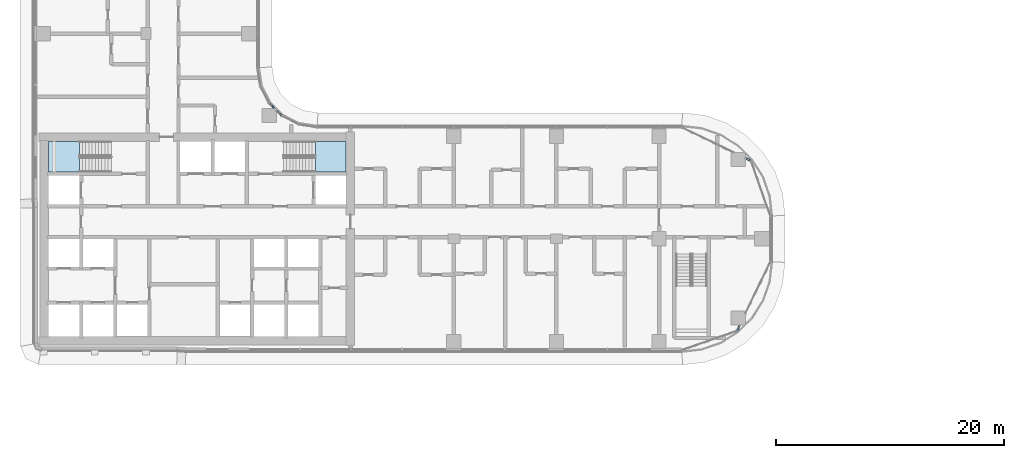
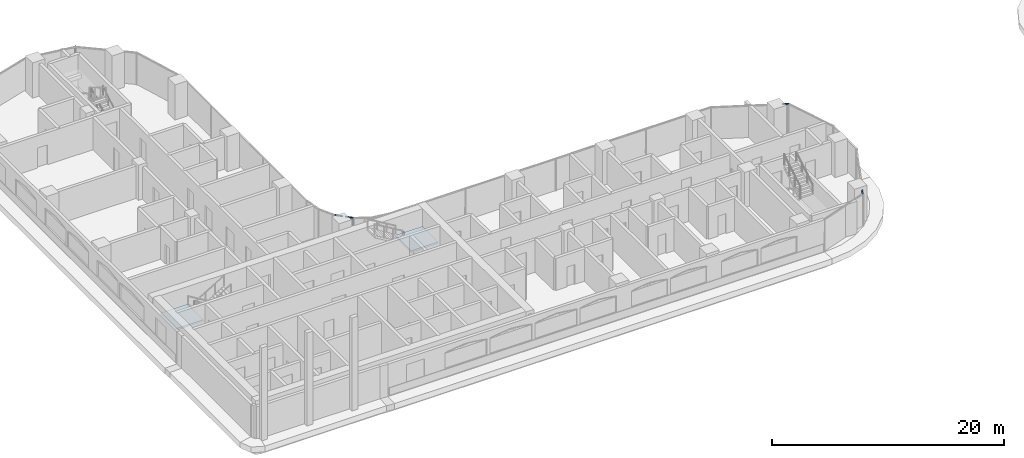
# One storey, part 14 of 40: 4 members, 2 slabs, 6 elements without a shape of their own.
"""IFC4 building model written with IfcOpenShell, lengths in metres."""

from ifc_helpers import new_model, si_unit, direction, frame, origin, origin_2d, place, context, subcontext, project, spatial, polyline, rectangle, outline, extrude, material, layer, layer_set, material_profile, profile_set, type_object, element, aggregate, save


model = new_model("IFC4")

# Units and contexts
model_context = context("Model", 3, precision=1e-05, world=origin(), true_north=direction((0.0, 1.0)))
body_context = subcontext(model_context, "Body", "Model", "MODEL_VIEW")
ifc_project = project(units=[si_unit("LENGTHUNIT", "METRE"), si_unit("AREAUNIT", "SQUARE_METRE"), si_unit("VOLUMEUNIT", "CUBIC_METRE"), si_unit("PLANEANGLEUNIT", "RADIAN"), si_unit("MASSUNIT", "GRAM", prefix="KILO")], contexts=[model_context])

# Site, building, storey
site_placement = place(None, origin())
site = spatial("IfcSite", under=ifc_project, at=site_placement, CompositionType="ELEMENT")
building_placement = place(site_placement, origin())
building = spatial("IfcBuilding", under=site, at=building_placement, Name="Ogive Portal Towers", CompositionType="ELEMENT")
storey_placement = place(building_placement, frame((0.0, 0.0, 87.10009765625)))
storey = spatial("IfcBuildingStorey", under=building, at=storey_placement, Name="L20", CompositionType="ELEMENT", Elevation=87.10009765625)

# Curtain wall, member
ifc_material_1 = material(Name="Glass, clear low-iron insulated glazing", Category="glass")
curtain_wall_type = type_object("IfcCurtainWallType", Name="CW FRONT RIBBON 4500", PredefinedType="NOTDEFINED", material=ifc_material_1)
curtain_wall_1_placement = place(storey_placement, origin())
curtain_wall_1 = element("IfcCurtainWall", 1, at=curtain_wall_1_placement, inside=storey, type_object=curtain_wall_type, Name="A:L20:f06:cwa~0", PredefinedType="NOTDEFINED")
ifc_material_2 = material(Name="Aluminium 6063 anodised", Category="aluminium")
ifc_material_profile = material_profile(ifc_material_2, rectangle(XDim=0.1201171875, YDim=0.06005859375, at=origin_2d()), Name="AL 120x60")
ifc_profile_set = profile_set([ifc_material_profile], Name="Aluminium 6063 anodised")
member_type = type_object("IfcMemberType", Name="CW TRANSOM 60x120", PredefinedType="USERDEFINED", material=ifc_profile_set)
member_1_placement = place(storey_placement, frame((92.33984375, 22.42333984375, 3.369873046875), z_axis=(0.434013326486, 0.900906450433, 0.0), x_axis=(-0.900906450433, 0.434013326486, 0.0)))
member_1 = element("IfcMember", 2, at=member_1_placement, type_object=member_type, Name="transom", ObjectType="TRANSOM", PredefinedType="USERDEFINED", context=body_context, shape_type="SweptSolid", body=[
    extrude(rectangle(XDim=0.1201171875, YDim=0.06005859375, at=origin_2d()), origin(), (0.0, 0.0, 1.0), 0.556884765625),
])
aggregate(curtain_wall_1, [member_1])

curtain_wall_2_placement = place(storey_placement, origin())
curtain_wall_2 = element("IfcCurtainWall", 3, at=curtain_wall_2_placement, inside=storey, type_object=curtain_wall_type, Name="A:L20:f09:cwa~0", PredefinedType="NOTDEFINED")
member_2_placement = place(storey_placement, frame((93.57666015625, 37.33984375, 3.369873046875), z_axis=(-0.900906450433, 0.434013326486, 0.0), x_axis=(-0.434013326486, -0.900906450433, 0.0)))
member_2 = element("IfcMember", 4, at=member_2_placement, type_object=member_type, Name="transom", ObjectType="TRANSOM", PredefinedType="USERDEFINED", context=body_context, shape_type="SweptSolid", body=[
    extrude(rectangle(XDim=0.1201171875, YDim=0.06005859375, at=origin_2d()), origin(), (0.0, 0.0, 1.0), 0.556884765625),
])
aggregate(curtain_wall_2, [member_2])

curtain_wall_3_placement = place(storey_placement, origin())
curtain_wall_3 = element("IfcCurtainWall", 5, at=curtain_wall_3_placement, inside=storey, type_object=curtain_wall_type, Name="A:L20:f12:cwa~0", PredefinedType="NOTDEFINED")
member_3_placement = place(storey_placement, frame((52.42822265625, 41.27197265625, 3.369873046875), z_axis=(-0.706931776423, 0.707281742649, 0.0), x_axis=(-0.707281742649, -0.706931776423, 0.0)))
member_3 = element("IfcMember", 6, at=member_3_placement, type_object=member_type, Name="transom", ObjectType="TRANSOM", PredefinedType="USERDEFINED", context=body_context, shape_type="SweptSolid", body=[
    extrude(rectangle(XDim=0.1201171875, YDim=0.06005859375, at=origin_2d()), origin(), (0.0, 0.0, 1.0), 0.697509765625),
])
aggregate(curtain_wall_3, [member_3])

curtain_wall_4_placement = place(storey_placement, origin())
curtain_wall_4 = element("IfcCurtainWall", 7, at=curtain_wall_4_placement, inside=storey, type_object=curtain_wall_type, Name="A:L20:f12:cwa~1", PredefinedType="NOTDEFINED")
member_4_placement = place(storey_placement, frame((51.765380859375, 41.93505859375, 3.369873046875), z_axis=(-0.707281742649, 0.706931776423, 0.0), x_axis=(-0.706931776423, -0.707281742649, 0.0)))
member_4 = element("IfcMember", 8, at=member_4_placement, type_object=member_type, Name="transom", ObjectType="TRANSOM", PredefinedType="USERDEFINED", context=body_context, shape_type="SweptSolid", body=[
    extrude(rectangle(XDim=0.1201171875, YDim=0.06005859375, at=origin_2d()), origin(), (0.0, 0.0, 1.0), 0.697509765625),
])
aggregate(curtain_wall_4, [member_4])

# Stair, slab
ifc_material_3 = material(Name="Concrete C40/50", Category="concrete")
stair_type = type_object("IfcStairType", Name="INT-STAIR", PredefinedType="HALF_TURN_STAIR", material=ifc_material_3)
stair_1_placement = place(storey_placement, origin())
stair_1 = element("IfcStair", 9, at=stair_1_placement, inside=storey, type_object=stair_type, Name="L20 Exit Stair ST-A1", PredefinedType="HALF_TURN_STAIR")
ifc_layer = layer(ifc_material_3, 0.199951171875)
ifc_layer_set = layer_set([ifc_layer], Name="INT-LANDING")
slab_type = type_object("IfcSlabType", Name="INT-LANDING", PredefinedType="LANDING", material=ifc_layer_set)
slab_1_placement = place(storey_placement, frame((0.0, 0.0, 1.64990234375)))
slab_1 = element("IfcSlab", 10, at=slab_1_placement, type_object=slab_type, Name="ST-A1 landing 1", PredefinedType="LANDING", context=body_context, shape_type="SweptSolid", body=[
    extrude(outline(polyline([(34.64990234375, 39.050048828125), (31.949951171875, 39.050048828125), (31.949951171875, 36.35009765625), (34.64990234375, 36.35009765625), (34.64990234375, 39.050048828125)])), origin(), (0.0, 0.0, 1.0), 0.199951171875),
])
aggregate(stair_1, [slab_1])

stair_2_placement = place(storey_placement, origin())
stair_2 = element("IfcStair", 11, at=stair_2_placement, inside=storey, type_object=stair_type, Name="L20 Exit Stair ST-A2", PredefinedType="HALF_TURN_STAIR")
slab_2_placement = place(storey_placement, frame((0.0, 0.0, 1.64990234375)))
slab_2 = element("IfcSlab", 12, at=slab_2_placement, type_object=slab_type, Name="ST-A2 landing 1", PredefinedType="LANDING", context=body_context, shape_type="SweptSolid", body=[
    extrude(outline(polyline([(55.35009765625, 36.35009765625), (58.050048828125, 36.35009765625), (58.050048828125, 39.050048828125), (55.35009765625, 39.050048828125), (55.35009765625, 36.35009765625)])), origin(), (0.0, 0.0, 1.0), 0.199951171875),
])
aggregate(stair_2, [slab_2])

save(model, "model.ifc")
